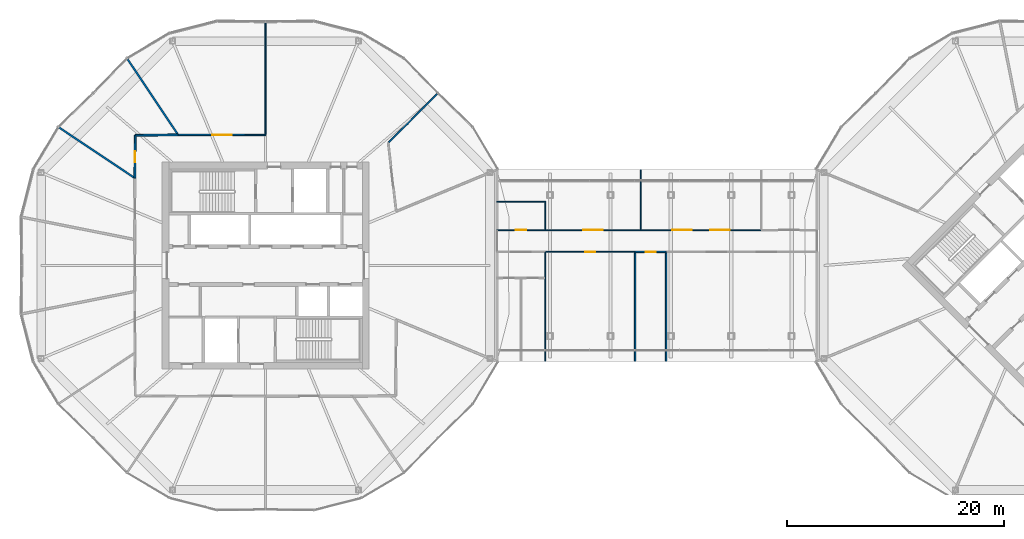
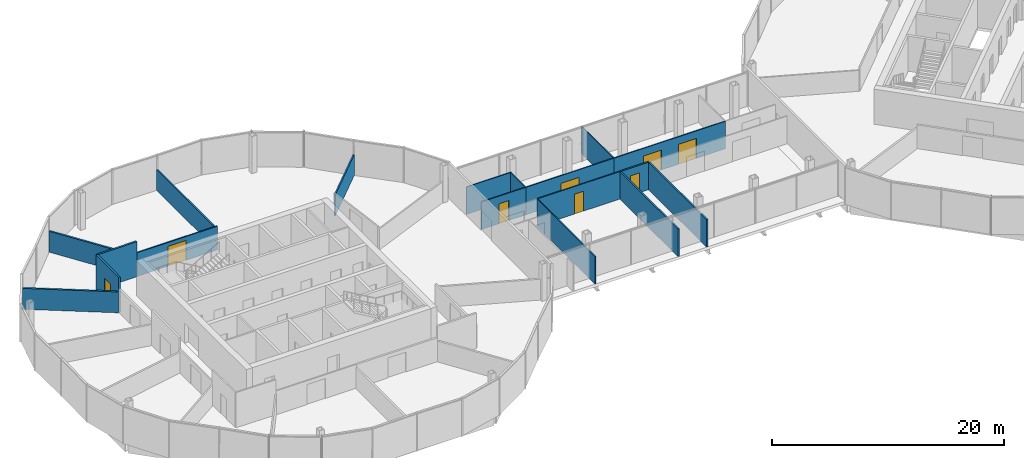
# One storey, part 21 of 26: 19 walls, 8 doors, 8 openings.
"""IFC4 building model written with IfcOpenShell, lengths in metres."""

import ifcopenshell
import ifcopenshell.guid

model = None  # the IFC model being written
_history = None  # IfcOwnerHistory: only IFC2X3 demands one
_inside = {}  # id of a spatial element -> (the spatial element, [elements in it])
_under = {}  # id of a project, library or spatial element -> (it, [spatial elements below it])
_declared = {}  # id of a project -> (the project, [libraries it declares])
_typed = {}  # id of a type object -> (the type object, [elements of that type])
_made_of = {}  # id of a material, layer set ... -> (it, [elements and type objects made of it])


def new_model(schema):
    """Start an empty IFC model of exactly this schema.

    Asked for "IFC4X3", IfcOpenShell would pick the latest addendum, in which some entities
    have other attributes; the version numbers below select the first issue.
    IFC2X3 requires an IfcOwnerHistory on every rooted entity: one is made here for all.
    """
    global model, _history
    if schema == "IFC4X3":
        model = ifcopenshell.file(schema_version=(4, 3, 0, 0))
    else:
        model = ifcopenshell.file(schema=schema)
    _inside.clear()
    _under.clear()
    _declared.clear()
    _typed.clear()
    _made_of.clear()
    _history = None
    if model.schema == "IFC2X3":
        org = make("IfcOrganization", Name="unknown")
        user = make(
            "IfcPersonAndOrganization",
            ThePerson=make("IfcPerson", FamilyName="unknown"),
            TheOrganization=org,
        )
        app = make(
            "IfcApplication",
            ApplicationDeveloper=org,
            Version="unknown",
            ApplicationFullName="unknown",
            ApplicationIdentifier="unknown",
        )
        _history = make(
            "IfcOwnerHistory",
            OwningUser=user,
            OwningApplication=app,
            ChangeAction="ADDED",
            CreationDate=0,
        )
    return model


def make(cls, **values):
    """One entity of the class cls with the attributes given. An attribute that is None is left unset."""
    return model.create_entity(
        cls, **{name: value for name, value in values.items() if value is not None}
    )


def rooted(cls, **values):
    """An entity with a GlobalId (a new one), such as an element, a storey or a relation."""
    return make(cls, GlobalId=ifcopenshell.guid.new(), OwnerHistory=_history, **values)


def si_unit(unit_type, name, prefix=None):
    """IfcSIUnit, for example si_unit("LENGTHUNIT", "METRE", prefix="MILLI")."""
    return make("IfcSIUnit", UnitType=unit_type, Prefix=prefix, Name=name)


def assignment(units):
    """IfcUnitAssignment: the units of a project."""
    return None if units is None else make("IfcUnitAssignment", Units=units)


def point(xyz):
    """IfcCartesianPoint."""
    return None if xyz is None else make("IfcCartesianPoint", Coordinates=xyz)


def direction(xyz):
    """IfcDirection."""
    return None if xyz is None else make("IfcDirection", DirectionRatios=xyz)


def frame(location, z_axis=None, x_axis=None):
    """IfcAxis2Placement3D, a coordinate frame: its origin and axes. An axis left out is left unset."""
    return make(
        "IfcAxis2Placement3D",
        Location=point(location),
        Axis=direction(z_axis),
        RefDirection=direction(x_axis),
    )


def frame_2d(location, x_axis=None):
    """IfcAxis2Placement2D, a coordinate frame in the plane: its origin and x axis."""
    return make(
        "IfcAxis2Placement2D", Location=point(location), RefDirection=direction(x_axis)
    )


def origin():
    """The frame at (0, 0, 0) with its axes left unset."""
    return frame((0.0, 0.0, 0.0))


def place(relative_to, where):
    """IfcLocalPlacement: puts the frame where relative to a parent placement (None: the world)."""
    return make(
        "IfcLocalPlacement", PlacementRelTo=relative_to, RelativePlacement=where
    )


def context(
    kind, dimensions, precision=None, world=None, true_north=None, identifier=None
):
    """IfcGeometricRepresentationContext, for example the 3D "Model" context."""
    return make(
        "IfcGeometricRepresentationContext",
        ContextIdentifier=identifier,
        ContextType=kind,
        CoordinateSpaceDimension=dimensions,
        Precision=precision,
        WorldCoordinateSystem=world,
        TrueNorth=true_north,
    )


def subcontext(parent, identifier, kind, view, scale=None):
    """IfcGeometricRepresentationSubContext, for example "Body" below "Model"."""
    return make(
        "IfcGeometricRepresentationSubContext",
        ContextIdentifier=identifier,
        ContextType=kind,
        ParentContext=parent,
        TargetScale=scale,
        TargetView=view,
    )


def project(units=None, contexts=None):
    """IfcProject with its units and contexts."""
    return rooted(
        "IfcProject",
        Name="project",
        RepresentationContexts=contexts,
        UnitsInContext=assignment(units),
    )


def spatial(cls, under=None, at=None, **own):
    """A site, building, storey or space (cls), placed at a placement, below another one or the project."""
    s = rooted(cls, ObjectPlacement=at, **own)
    if under is not None:
        _under.setdefault(under.id(), (under, []))[1].append(s)
    return s


def profile(cls, at=None, kind="AREA", **sizes):
    """A parametric profile (cls). Its sizes go by their IFC names, for example OverallWidth=200.0."""
    return make(cls, ProfileType=kind, Position=at, **sizes)


def rectangle(**sizes):
    """IfcRectangleProfileDef."""
    return profile("IfcRectangleProfileDef", **sizes)


def extrude(swept, where, along, depth):
    """IfcExtrudedAreaSolid: the profile swept, set in the frame where, extruded along a direction by depth."""
    return make(
        "IfcExtrudedAreaSolid",
        SweptArea=swept,
        Position=where,
        ExtrudedDirection=direction(along),
        Depth=depth,
    )


def shape(context_of_items, identifier, shape_type, items):
    """IfcShapeRepresentation: the items that make up one representation, for example the "Body"."""
    return make(
        "IfcShapeRepresentation",
        ContextOfItems=context_of_items,
        RepresentationIdentifier=identifier,
        RepresentationType=shape_type,
        Items=items,
    )


def material(Name=None, Category=None):
    """IfcMaterial."""
    return make("IfcMaterial", Name=Name, Category=Category)


def layer(
    of_material, thickness, ventilated=None, Name=None, Category=None, Priority=None
):
    """IfcMaterialLayer: one layer of a wall or slab, of a material (None: an air gap)."""
    return make(
        "IfcMaterialLayer",
        Material=of_material,
        LayerThickness=thickness,
        IsVentilated=ventilated,
        Name=Name,
        Category=Category,
        Priority=Priority,
    )


def layer_set(layers, Name=None):
    """IfcMaterialLayerSet."""
    return make("IfcMaterialLayerSet", MaterialLayers=layers, LayerSetName=Name)


def made_of(thing, what):
    """Note that an element or type object is made of a material, layer set ...; save() writes the relation."""
    if what is not None:
        _made_of.setdefault(what.id(), (what, []))[1].append(thing)
    return thing


def type_object(cls, material=None, **own):
    """A type object (cls), such as IfcWallType, which elements share."""
    return made_of(rooted(cls, **own), material)


def element(
    cls,
    number,
    at=None,
    inside=None,
    cuts=None,
    type_object=None,
    material=None,
    context=None,
    identifier="Body",
    shape_type=None,
    held_by="IfcProductDefinitionShape",
    body=None,
    shapes=None,
    **own,
):
    """One element of the class cls, such as IfcWall. Its Tag is "e" and its number.

    at: its placement. inside: the storey or other place that contains it. cuts: it is an
    opening in that element (IfcRelVoidsElement). A single representation is given by context,
    identifier, shape_type and body (its items); several are given by shapes. held_by: the class
    of the entity that holds the representations. save() writes the other relations.
    """
    e = rooted(cls, Tag="e%d" % number, ObjectPlacement=at, **own)
    if body is not None:
        shapes = [shape(context, identifier, shape_type, body)]
    if shapes is not None:
        e.Representation = make(held_by, Representations=shapes)
    if inside is not None:
        _inside.setdefault(inside.id(), (inside, []))[1].append(e)
    if cuts is not None:
        rooted(
            "IfcRelVoidsElement", RelatingBuildingElement=cuts, RelatedOpeningElement=e
        )
    if type_object is not None:
        _typed.setdefault(type_object.id(), (type_object, []))[1].append(e)
    return made_of(e, material)


def fill(opening, filler):
    """IfcRelFillsElement: the door or window that sits in an opening."""
    return rooted(
        "IfcRelFillsElement",
        RelatingOpeningElement=opening,
        RelatedBuildingElement=filler,
    )


def aggregate(whole, parts):
    """IfcRelAggregates: a whole, such as a stair, and the parts it consists of."""
    return rooted("IfcRelAggregates", RelatingObject=whole, RelatedObjects=parts)


def save(model, path):
    """Write the relations noted so far, then the file.

    IfcRelAggregates (storeys below a building ...), IfcRelContainedInSpatialStructure (elements
    in a storey), IfcRelDefinesByType, IfcRelAssociatesMaterial and IfcRelDeclares: one each for
    every whole, place, type object, material and project.
    """
    for whole, parts in _under.values():
        aggregate(whole, parts)
    for where, things in _inside.values():
        rooted(
            "IfcRelContainedInSpatialStructure",
            RelatedElements=things,
            RelatingStructure=where,
        )
    for kind, things in _typed.values():
        rooted("IfcRelDefinesByType", RelatedObjects=things, RelatingType=kind)
    for what, things in _made_of.values():
        rooted("IfcRelAssociatesMaterial", RelatedObjects=things, RelatingMaterial=what)
    for by, libraries in _declared.values():
        rooted("IfcRelDeclares", RelatingContext=by, RelatedDefinitions=libraries)
    model.write(path)


model = new_model("IFC4")

# Units and contexts
model_context = context("Model", 3, precision=1e-05, world=origin(), true_north=direction((0.0, 1.0)))
body_context = subcontext(model_context, "Body", "Model", "MODEL_VIEW")
ifc_project = project(units=[si_unit("LENGTHUNIT", "METRE"), si_unit("AREAUNIT", "SQUARE_METRE"), si_unit("VOLUMEUNIT", "CUBIC_METRE"), si_unit("PLANEANGLEUNIT", "RADIAN"), si_unit("MASSUNIT", "GRAM", prefix="KILO")], contexts=[model_context])

# Site, building, storey
site_placement = place(None, origin())
site = spatial("IfcSite", under=ifc_project, at=site_placement, CompositionType="ELEMENT")
building_placement = place(site_placement, origin())
building = spatial("IfcBuilding", under=site, at=building_placement, Name="Ogive Gate Towers", CompositionType="ELEMENT")
storey_placement = place(building_placement, frame((0.0, 0.0, 156.800048828125)))
storey = spatial("IfcBuildingStorey", under=building, at=storey_placement, Name="L37", CompositionType="ELEMENT", Elevation=156.800048828125)

# Walls
ifc_material_1 = material(Name="Gypsum board acoustic partition")
ifc_layer_1 = layer(ifc_material_1, 0.175048828125)
ifc_layer_set_1 = layer_set([ifc_layer_1], Name="Acoustic partition 175")
wall_type_1 = type_object("IfcWallType", Name="Acoustic partition 175", PredefinedType="PARTITIONING", material=ifc_layer_set_1)
for number, where, z_axis, x_axis, name in (
    (1, (-48.695556640625, 18.986083984375, 0.0), (0.0, 0.0, 1.0), (0.555854795221, -0.831279403468, 0.0), "Partition T1-L37-004"),
    (2, (-54.986083984375, 12.695556640625, 0.0), (0.0, 0.0, 1.0), (0.831279403468, -0.555854795221, 0.0), "Partition T1-L37-005"),
):
    element("IfcWall", number, at=place(storey_placement, frame(where, z_axis=z_axis, x_axis=x_axis)), inside=storey, type_object=wall_type_1, Name=name, PredefinedType="PARTITIONING", context=body_context, shape_type="SweptSolid", body=[
        extrude(rectangle(XDim=8.29150390625, YDim=0.175048828125, at=frame_2d((4.145751953125, 0.0))), origin(), (0.0, 0.0, 1.0), 2.199951171875),
    ])

# Wall, opening, door
wall_1_placement = place(storey_placement, frame((-47.97998046875, 11.97998046875, 0.0), z_axis=(0.0, 0.0, 1.0), x_axis=(-0.010342565829, -0.999946514236, 0.0)))
wall_1 = element("IfcWall", 3, at=wall_1_placement, inside=storey, type_object=wall_type_1, Name="Partition T1-L37-015", PredefinedType="PARTITIONING", context=body_context, shape_type="SweptSolid", body=[
    extrude(rectangle(XDim=3.942138671875, YDim=0.175048828125, at=frame_2d((1.97119140625, 0.0))), origin(), (0.0, 0.0, 1.0), 3.699951171875),
])
opening_1_placement = place(wall_1_placement, frame((1.470947265625, 0.0, 0.0)))
opening_1 = element("IfcOpeningElement", 4, at=opening_1_placement, cuts=wall_1, Name="Opening T1-L37-D03", PredefinedType="OPENING", context=body_context, shape_type="SweptSolid", body=[
    extrude(rectangle(XDim=1.0, YDim=2.10009765625, at=frame_2d((0.5, 1.050048828125))), frame((0.0, 0.09765625, 0.0), z_axis=(0.0, -1.0, 0.0), x_axis=(1.0, 0.0, 0.0)), (0.0, 0.0, 1.0), 0.195068359375),
])
ifc_material_2 = material(Name="Timber door", Category="wood")
door_type_1 = type_object("IfcDoorType", Name="Door 1000", OperationType="NOTDEFINED", PredefinedType="DOOR", material=ifc_material_2)
door_1_placement = place(opening_1_placement, origin())
door_1 = element("IfcDoor", 5, at=door_1_placement, inside=storey, type_object=door_type_1, Name="Door T1-L37-D03", OperationType="SINGLE_SWING_LEFT", OverallHeight=2.10009765625, OverallWidth=1.0, PredefinedType="DOOR", context=body_context, shape_type="SweptSolid", body=[
    extrude(rectangle(XDim=1.0, YDim=2.10009765625, at=frame_2d((0.5, 1.050048828125))), frame((0.0, 0.02490234375, 0.0), z_axis=(0.0, -1.0, 0.0), x_axis=(1.0, 0.0, 0.0)), (0.0, 0.0, 1.0), 0.050048828125),
])
fill(opening_1, door_1)

# Walls
wall_2_placement = place(storey_placement, frame((-44.0380859375, 12.020751953125, 0.0), z_axis=(0.0, 0.0, 1.0), x_axis=(-0.999946514236, -0.010342565829, 0.0)))
element("IfcWall", 6, at=wall_2_placement, inside=storey, type_object=wall_type_1, Name="Partition T1-L37-016", PredefinedType="PARTITIONING", context=body_context, shape_type="SweptSolid", body=[
    extrude(rectangle(XDim=3.942138671875, YDim=0.175048828125, at=frame_2d((1.97119140625, 0.0))), origin(), (0.0, 0.0, 1.0), 3.699951171875),
])
ifc_material_3 = material(Name="Gypsum board partition")
ifc_layer_2 = layer(ifc_material_3, 0.125)
ifc_layer_set_2 = layer_set([ifc_layer_2], Name="Partition 125")
wall_type_2 = type_object("IfcWallType", Name="Partition 125", PredefinedType="PARTITIONING", material=ifc_layer_set_2)
wall_3_placement = place(storey_placement, frame((-20.203857421875, 15.796142578125, 0.0), z_axis=(0.0, 0.0, 1.0), x_axis=(-0.707106781187, -0.707106781187, 0.0)))
element("IfcWall", 7, at=wall_3_placement, inside=storey, type_object=wall_type_2, Name="Partition T1-L37-002", PredefinedType="PARTITIONING", context=body_context, shape_type="SweptSolid", body=[
    extrude(rectangle(XDim=6.316650390625, YDim=0.125, at=frame_2d((3.158203125, 0.0))), origin(), (0.0, 0.0, 1.0), 2.199951171875),
])
wall_4_placement = place(storey_placement, frame((-36.0, 22.339111328125, 0.0), z_axis=(0.0, 0.0, 1.0), x_axis=(0.0, -1.0, 0.0)))
element("IfcWall", 8, at=wall_4_placement, inside=storey, type_object=wall_type_2, Name="Partition T1-L37-003", PredefinedType="PARTITIONING", context=body_context, shape_type="SweptSolid", body=[
    extrude(rectangle(XDim=10.2666015625, YDim=0.125, at=frame_2d((5.13330078125, 0.0))), origin(), (0.0, 0.0, 1.0), 2.199951171875),
])

# Wall, opening, door
wall_5_placement = place(storey_placement, frame((-36.0, 12.010009765625, 0.0), z_axis=(0.0, 0.0, 1.0), x_axis=(-0.999999107004, 0.001336409935, 0.0)))
wall_5 = element("IfcWall", 9, at=wall_5_placement, inside=storey, type_object=wall_type_2, Name="Partition T1-L37-014", PredefinedType="PARTITIONING", context=body_context, shape_type="SweptSolid", body=[
    extrude(rectangle(XDim=8.0380859375, YDim=0.125, at=frame_2d((4.01904296875, 0.0))), origin(), (0.0, 0.0, 1.0), 2.5),
])
opening_2_placement = place(wall_5_placement, frame((3.118896484375, 0.0, 0.0)))
opening_2 = element("IfcOpeningElement", 10, at=opening_2_placement, cuts=wall_5, Name="Opening T1-L37-D02", PredefinedType="OPENING", context=body_context, shape_type="SweptSolid", body=[
    extrude(rectangle(XDim=1.800048828125, YDim=2.10009765625, at=frame_2d((0.89990234375, 1.050048828125))), frame((0.0, 0.072509765625, 0.0), z_axis=(0.0, -1.0, 0.0), x_axis=(1.0, 0.0, 0.0)), (0.0, 0.0, 1.0), 0.14501953125),
])
door_type_2 = type_object("IfcDoorType", Name="Door pair 1800", OperationType="NOTDEFINED", PredefinedType="DOOR", material=ifc_material_2)
door_2_placement = place(opening_2_placement, origin())
door_2 = element("IfcDoor", 11, at=door_2_placement, inside=storey, type_object=door_type_2, Name="Door T1-L37-D02", OperationType="DOUBLE_DOOR_DOUBLE_SWING", OverallHeight=2.10009765625, OverallWidth=1.800048828125, PredefinedType="DOOR", context=body_context, shape_type="SweptSolid", body=[
    extrude(rectangle(XDim=1.800048828125, YDim=2.10009765625, at=frame_2d((0.89990234375, 1.050048828125))), frame((0.0, 0.02490234375, 0.0), z_axis=(0.0, -1.0, 0.0), x_axis=(1.0, 0.0, 0.0)), (0.0, 0.0, 1.0), 0.050048828125),
])
fill(opening_2, door_2)

ifc_layer_3 = layer(ifc_material_3, 0.10009765625)
ifc_layer_set_3 = layer_set([ifc_layer_3], Name="Partition wall 100")
wall_type_3 = type_object("IfcWallType", Name="Partition wall 100", PredefinedType="PARTITIONING", material=ifc_layer_set_3)
wall_6_placement = place(storey_placement, frame((-14.7138671875, 3.25, 0.0), z_axis=(0.0, 0.0, 1.0), x_axis=(1.0, 0.0, 0.0)))
wall_6 = element("IfcWall", 12, at=wall_6_placement, inside=storey, type_object=wall_type_3, Name="L37 partition 002", PredefinedType="PARTITIONING", context=body_context, shape_type="SweptSolid", body=[
    extrude(rectangle(XDim=4.433349609375, YDim=0.10009765625, at=frame_2d((2.216796875, 0.0))), origin(), (0.0, 0.0, 1.0), 2.89990234375),
])
opening_3_placement = place(wall_6_placement, frame((1.716552734375, 0.0, 0.0)))
opening_3 = element("IfcOpeningElement", 13, at=opening_3_placement, cuts=wall_6, Name="Opening PO285", PredefinedType="OPENING", context=body_context, shape_type="SweptSolid", body=[
    extrude(rectangle(XDim=1.0, YDim=2.10009765625, at=frame_2d((0.5, 1.050048828125))), frame((0.0, 0.06005859375, 0.0), z_axis=(0.0, -1.0, 0.0), x_axis=(1.0, 0.0, 0.0)), (0.0, 0.0, 1.0), 0.1201171875),
])
door_type_3 = type_object("IfcDoorType", Name="Door 1000 x 2100", OperationType="NOTDEFINED", PredefinedType="DOOR", material=ifc_material_2)
door_3_placement = place(opening_3_placement, origin())
door_3 = element("IfcDoor", 14, at=door_3_placement, inside=storey, type_object=door_type_3, Name="Door PO285", OperationType="SINGLE_SWING_LEFT", OverallHeight=2.10009765625, OverallWidth=1.0, PredefinedType="DOOR", context=body_context, shape_type="SweptSolid", body=[
    extrude(rectangle(XDim=1.0, YDim=2.10009765625, at=frame_2d((0.5, 1.050048828125))), frame((0.0, 0.02490234375, 0.0), z_axis=(0.0, -1.0, 0.0), x_axis=(1.0, 0.0, 0.0)), (0.0, 0.0, 1.0), 0.050048828125),
])
fill(opening_3, door_3)

wall_7_placement = place(storey_placement, frame((-10.280517578125, 3.25, 0.0), z_axis=(0.0, 0.0, 1.0), x_axis=(1.0, 0.0, 0.0)))
wall_7 = element("IfcWall", 15, at=wall_7_placement, inside=storey, type_object=wall_type_3, Name="L37 partition 003", PredefinedType="PARTITIONING", context=body_context, shape_type="SweptSolid", body=[
    extrude(rectangle(XDim=8.78466796875, YDim=0.10009765625, at=frame_2d((4.392333984375, 0.0))), origin(), (0.0, 0.0, 1.0), 2.89990234375),
])
opening_4_placement = place(wall_7_placement, frame((3.492431640625, 0.0, 0.0)))
opening_4 = element("IfcOpeningElement", 16, at=opening_4_placement, cuts=wall_7, Name="Opening PO286", PredefinedType="OPENING", context=body_context, shape_type="SweptSolid", body=[
    extrude(rectangle(XDim=1.800048828125, YDim=2.10009765625, at=frame_2d((0.89990234375, 1.050048828125))), frame((0.0, 0.06005859375, 0.0), z_axis=(0.0, -1.0, 0.0), x_axis=(1.0, 0.0, 0.0)), (0.0, 0.0, 1.0), 0.1201171875),
])
door_type_4 = type_object("IfcDoorType", Name="Double door 1800 x 2100", OperationType="NOTDEFINED", PredefinedType="DOOR", material=ifc_material_2)
door_4_placement = place(opening_4_placement, origin())
door_4 = element("IfcDoor", 17, at=door_4_placement, inside=storey, type_object=door_type_4, Name="Door PO286", OperationType="DOUBLE_DOOR_DOUBLE_SWING", OverallHeight=2.10009765625, OverallWidth=1.800048828125, PredefinedType="DOOR", context=body_context, shape_type="SweptSolid", body=[
    extrude(rectangle(XDim=1.800048828125, YDim=2.10009765625, at=frame_2d((0.89990234375, 1.050048828125))), frame((0.0, 0.02490234375, 0.0), z_axis=(0.0, -1.0, 0.0), x_axis=(1.0, 0.0, 0.0)), (0.0, 0.0, 1.0), 0.050048828125),
])
fill(opening_4, door_4)

# Wall, openings, doors
wall_8_placement = place(storey_placement, frame((-1.495849609375, 3.25, 0.0), z_axis=(0.0, 0.0, 1.0), x_axis=(1.0, 0.0, 0.0)))
wall_8 = element("IfcWall", 18, at=wall_8_placement, inside=storey, type_object=wall_type_3, Name="L37 partition 004", PredefinedType="PARTITIONING", context=body_context, shape_type="SweptSolid", body=[
    extrude(rectangle(XDim=11.113037109375, YDim=0.10009765625, at=frame_2d((5.556640625, 0.0))), origin(), (0.0, 0.0, 1.0), 2.89990234375),
])
opening_5_placement = place(wall_8_placement, frame((2.913818359375, 0.0, 0.0)))
opening_5 = element("IfcOpeningElement", 19, at=opening_5_placement, cuts=wall_8, Name="Opening PO287", PredefinedType="OPENING", context=body_context, shape_type="SweptSolid", body=[
    extrude(rectangle(XDim=1.800048828125, YDim=2.10009765625, at=frame_2d((0.89990234375, 1.050048828125))), frame((0.0, 0.06005859375, 0.0), z_axis=(0.0, -1.0, 0.0), x_axis=(1.0, 0.0, 0.0)), (0.0, 0.0, 1.0), 0.1201171875),
])
opening_6_placement = place(wall_8_placement, frame((6.399169921875, 0.0, 0.0)))
opening_6 = element("IfcOpeningElement", 20, at=opening_6_placement, cuts=wall_8, Name="Opening PO288", PredefinedType="OPENING", context=body_context, shape_type="SweptSolid", body=[
    extrude(rectangle(XDim=1.800048828125, YDim=2.10009765625, at=frame_2d((0.89990234375, 1.050048828125))), frame((0.0, 0.06005859375, 0.0), z_axis=(0.0, -1.0, 0.0), x_axis=(1.0, 0.0, 0.0)), (0.0, 0.0, 1.0), 0.1201171875),
])
door_5_placement = place(opening_5_placement, origin())
door_5 = element("IfcDoor", 21, at=door_5_placement, inside=storey, type_object=door_type_4, Name="Door PO287", OperationType="DOUBLE_DOOR_DOUBLE_SWING", OverallHeight=2.10009765625, OverallWidth=1.800048828125, PredefinedType="DOOR", context=body_context, shape_type="SweptSolid", body=[
    extrude(rectangle(XDim=1.800048828125, YDim=2.10009765625, at=frame_2d((0.89990234375, 1.050048828125))), frame((0.0, 0.02490234375, 0.0), z_axis=(0.0, -1.0, 0.0), x_axis=(1.0, 0.0, 0.0)), (0.0, 0.0, 1.0), 0.050048828125),
])
fill(opening_5, door_5)
door_6_placement = place(opening_6_placement, origin())
door_6 = element("IfcDoor", 22, at=door_6_placement, inside=storey, type_object=door_type_4, Name="Door PO288", OperationType="DOUBLE_DOOR_DOUBLE_SWING", OverallHeight=2.10009765625, OverallWidth=1.800048828125, PredefinedType="DOOR", context=body_context, shape_type="SweptSolid", body=[
    extrude(rectangle(XDim=1.800048828125, YDim=2.10009765625, at=frame_2d((0.89990234375, 1.050048828125))), frame((0.0, 0.02490234375, 0.0), z_axis=(0.0, -1.0, 0.0), x_axis=(1.0, 0.0, 0.0)), (0.0, 0.0, 1.0), 0.050048828125),
])
fill(opening_6, door_6)

# Wall, opening, door
wall_9_placement = place(storey_placement, frame((-10.280517578125, 1.25, 0.0), z_axis=(0.0, 0.0, 1.0), x_axis=(1.0, 0.0, 0.0)))
wall_9 = element("IfcWall", 23, at=wall_9_placement, inside=storey, type_object=wall_type_3, Name="L37 partition 006", PredefinedType="PARTITIONING", context=body_context, shape_type="SweptSolid", body=[
    extrude(rectangle(XDim=8.280517578125, YDim=0.10009765625, at=frame_2d((4.14013671875, 0.0))), origin(), (0.0, 0.0, 1.0), 2.89990234375),
])
opening_7_placement = place(wall_9_placement, frame((3.690185546875, 0.0, 0.0)))
opening_7 = element("IfcOpeningElement", 24, at=opening_7_placement, cuts=wall_9, Name="Opening PO290", PredefinedType="OPENING", context=body_context, shape_type="SweptSolid", body=[
    extrude(rectangle(XDim=0.89990234375, YDim=2.10009765625, at=frame_2d((0.449951171875, 1.050048828125))), frame((0.0, 0.06005859375, 0.0), z_axis=(0.0, -1.0, 0.0), x_axis=(1.0, 0.0, 0.0)), (0.0, 0.0, 1.0), 0.1201171875),
])
door_type_5 = type_object("IfcDoorType", Name="Door 900 x 2100", OperationType="NOTDEFINED", PredefinedType="DOOR", material=ifc_material_2)
door_7_placement = place(opening_7_placement, origin())
door_7 = element("IfcDoor", 25, at=door_7_placement, inside=storey, type_object=door_type_5, Name="Door PO290", OperationType="SINGLE_SWING_RIGHT", OverallHeight=2.10009765625, OverallWidth=0.89990234375, PredefinedType="DOOR", context=body_context, shape_type="SweptSolid", body=[
    extrude(rectangle(XDim=0.89990234375, YDim=2.10009765625, at=frame_2d((0.449951171875, 1.050048828125))), frame((0.0, 0.02490234375, 0.0), z_axis=(0.0, -1.0, 0.0), x_axis=(1.0, 0.0, 0.0)), (0.0, 0.0, 1.0), 0.050048828125),
])
fill(opening_7, door_7)

# Walls
wall_10_placement = place(storey_placement, frame((-10.280517578125, -1.14990234375, 0.0), z_axis=(0.0, 0.0, 1.0), x_axis=(0.0, 1.0, 0.0)))
element("IfcWall", 26, at=wall_10_placement, inside=storey, type_object=wall_type_3, Name="L37 partition 011", PredefinedType="PARTITIONING", context=body_context, shape_type="SweptSolid", body=[
    extrude(rectangle(XDim=2.349853515625, YDim=0.10009765625, at=frame_2d((1.1748046875, 0.0))), origin(), (0.0, 0.0, 1.0), 2.89990234375),
])
wall_11_placement = place(storey_placement, frame((-10.280517578125, -8.81689453125, 0.0), z_axis=(0.0, 0.0, 1.0), x_axis=(0.0, 1.0, 0.0)))
element("IfcWall", 27, at=wall_11_placement, inside=storey, type_object=wall_type_3, Name="L37 partition 013", PredefinedType="PARTITIONING", context=body_context, shape_type="SweptSolid", body=[
    extrude(rectangle(XDim=7.6669921875, YDim=0.10009765625, at=frame_2d((3.83349609375, 0.0))), origin(), (0.0, 0.0, 1.0), 2.89990234375),
])
wall_12_placement = place(storey_placement, frame((-14.7138671875, 5.85009765625, 0.0), z_axis=(0.0, 0.0, 1.0), x_axis=(1.0, 0.0, 0.0)))
element("IfcWall", 28, at=wall_12_placement, inside=storey, type_object=wall_type_3, Name="L37 partition 014", PredefinedType="PARTITIONING", context=body_context, shape_type="SweptSolid", body=[
    extrude(rectangle(XDim=4.4833984375, YDim=0.10009765625, at=frame_2d((2.24169921875, 0.0))), origin(), (0.0, 0.0, 1.0), 2.89990234375),
])
wall_13_placement = place(storey_placement, frame((-10.280517578125, 3.300048828125, 0.0), z_axis=(0.0, 0.0, 1.0), x_axis=(0.0, 1.0, 0.0)))
element("IfcWall", 29, at=wall_13_placement, inside=storey, type_object=wall_type_3, Name="L37 partition 015", PredefinedType="PARTITIONING", context=body_context, shape_type="SweptSolid", body=[
    extrude(rectangle(XDim=2.5, YDim=0.10009765625, at=frame_2d((1.25, 0.0))), origin(), (0.0, 0.0, 1.0), 2.89990234375),
])
wall_14_placement = place(storey_placement, frame((-1.495849609375, 3.300048828125, 0.0), z_axis=(0.0, 0.0, 1.0), x_axis=(0.0, 1.0, 0.0)))
element("IfcWall", 30, at=wall_14_placement, inside=storey, type_object=wall_type_3, Name="L37 partition 016", PredefinedType="PARTITIONING", context=body_context, shape_type="SweptSolid", body=[
    extrude(rectangle(XDim=5.516845703125, YDim=0.10009765625, at=frame_2d((2.75830078125, 0.0))), origin(), (0.0, 0.0, 1.0), 2.89990234375),
])

# Wall, opening, door
ifc_material_4 = material(Name="Fire-rated gypsum board partition")
ifc_layer_4 = layer(ifc_material_4, 0.14990234375)
ifc_layer_set_4 = layer_set([ifc_layer_4], Name="Partition wall 150")
wall_type_4 = type_object("IfcWallType", Name="Partition wall 150", PredefinedType="PARTITIONING", material=ifc_layer_set_4)
wall_15_placement = place(storey_placement, frame((-2.0, 1.25, 0.0), z_axis=(0.0, 0.0, 1.0), x_axis=(1.0, 0.0, 0.0)))
wall_15 = element("IfcWall", 31, at=wall_15_placement, inside=storey, type_object=wall_type_4, Name="L37 partition 007", PredefinedType="PARTITIONING", context=body_context, shape_type="SweptSolid", body=[
    extrude(rectangle(XDim=2.85009765625, YDim=0.14990234375, at=frame_2d((1.425048828125, 0.0))), origin(), (0.0, 0.0, 1.0), 2.89990234375),
])
opening_8_placement = place(wall_15_placement, frame((0.97509765625, 0.0, 0.0)))
opening_8 = element("IfcOpeningElement", 32, at=opening_8_placement, cuts=wall_15, Name="Opening PO291", PredefinedType="OPENING", context=body_context, shape_type="SweptSolid", body=[
    extrude(rectangle(XDim=0.89990234375, YDim=2.10009765625, at=frame_2d((0.449951171875, 1.050048828125))), frame((0.0, 0.0849609375, 0.0), z_axis=(0.0, -1.0, 0.0), x_axis=(1.0, 0.0, 0.0)), (0.0, 0.0, 1.0), 0.169921875),
])
ifc_material_5 = material(Name="Steel fire door", Category="steel")
door_type_6 = type_object("IfcDoorType", Name="Interior fire door FD60S 900 x 2100", OperationType="NOTDEFINED", PredefinedType="DOOR", material=ifc_material_5)
door_8_placement = place(opening_8_placement, origin())
door_8 = element("IfcDoor", 33, at=door_8_placement, inside=storey, type_object=door_type_6, Name="Door PO291", OperationType="SINGLE_SWING_LEFT", OverallHeight=2.10009765625, OverallWidth=0.89990234375, PredefinedType="DOOR", context=body_context, shape_type="SweptSolid", body=[
    extrude(rectangle(XDim=0.89990234375, YDim=2.10009765625, at=frame_2d((0.449951171875, 1.050048828125))), frame((0.0, 0.02490234375, 0.0), z_axis=(0.0, -1.0, 0.0), x_axis=(1.0, 0.0, 0.0)), (0.0, 0.0, 1.0), 0.050048828125),
])
fill(opening_8, door_8)

# Walls
for number, where, z_axis, x_axis, name in (
    (34, (-2.0, -8.81689453125, 0.0), (0.0, 0.0, 1.0), (0.0, 1.0, 0.0), "L37 partition 018"),
    (35, (0.85009765625, -8.81689453125, 0.0), (0.0, 0.0, 1.0), (0.0, 1.0, 0.0), "L37 partition 019"),
):
    element("IfcWall", number, at=place(storey_placement, frame(where, z_axis=z_axis, x_axis=x_axis)), inside=storey, type_object=wall_type_4, Name=name, PredefinedType="PARTITIONING", context=body_context, shape_type="SweptSolid", body=[
        extrude(rectangle(XDim=9.991943359375, YDim=0.14990234375, at=frame_2d((4.99609375, 0.0))), origin(), (0.0, 0.0, 1.0), 2.89990234375),
    ])

save(model, "model.ifc")
